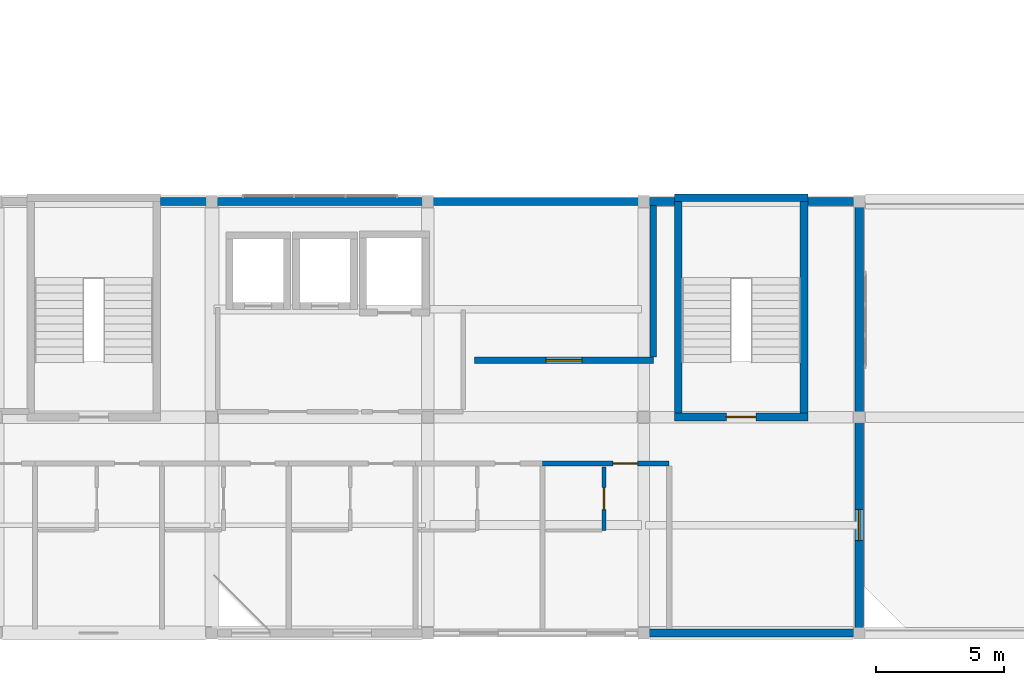
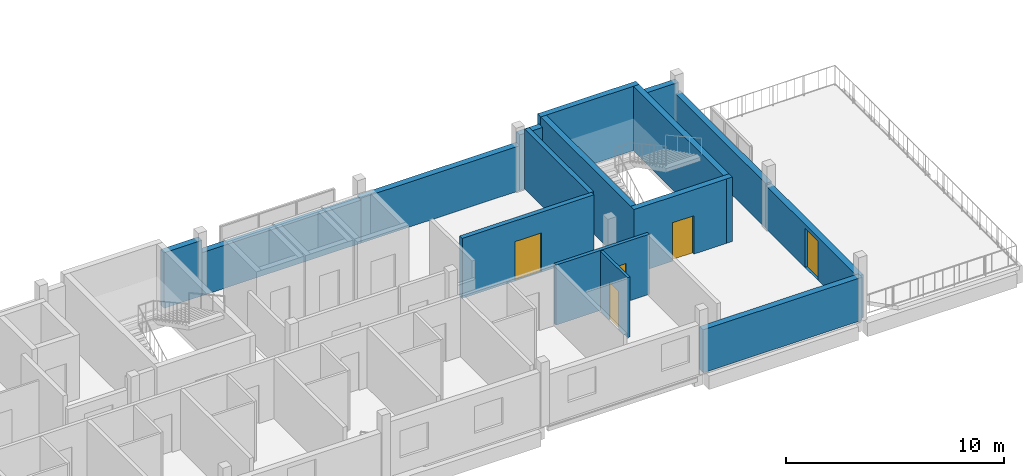
# One storey, part 16 of 19: 16 walls, 5 doors, 5 openings.
"""IFC4 building model written with IfcOpenShell, lengths in metres."""

from ifc_helpers import new_model, si_unit, derived_unit, direction, frame, frame_2d, origin, place, context, subcontext, project, spatial, rectangle, extrude, material, layer, layer_set, type_object, element, fill, save


model = new_model("IFC4")

# Units and contexts
model_context = context("Model", 3, precision=1e-05, world=origin(), true_north=direction((0.0, 1.0)))
body_context = subcontext(model_context, "Body", "Model", "MODEL_VIEW")
ifc_project = project(units=[si_unit("LENGTHUNIT", "METRE"), si_unit("AREAUNIT", "SQUARE_METRE"), si_unit("VOLUMEUNIT", "CUBIC_METRE"), si_unit("PLANEANGLEUNIT", "RADIAN"), si_unit("MASSUNIT", "GRAM", prefix="KILO"), derived_unit("THERMALTRANSMITTANCEUNIT", [(si_unit("POWERUNIT", "WATT"), 1), (si_unit("LENGTHUNIT", "METRE"), -2), (si_unit("THERMODYNAMICTEMPERATUREUNIT", "KELVIN"), -1)])], contexts=[model_context])

# Site, building, storey
site_placement = place(None, origin())
site = spatial("IfcSite", under=ifc_project, at=site_placement, CompositionType="ELEMENT")
building_placement = place(site_placement, origin())
building = spatial("IfcBuilding", under=site, at=building_placement, Name="Barrovel Congress Hotel", CompositionType="ELEMENT")
storey_placement = place(building_placement, frame((0.0, 0.0, 43.5)))
storey = spatial("IfcBuildingStorey", under=building, at=storey_placement, Name="L11", CompositionType="ELEMENT", Elevation=43.5)

# Wall, opening, door
ifc_material_1 = material(Name="Fired Clay Brick Masonry", Category="masonry")
ifc_layer_1 = layer(ifc_material_1, 0.320068359375)
ifc_layer_set_1 = layer_set([ifc_layer_1], Name="Fired Clay Brick Masonry")
wall_type_1 = type_object("IfcWallType", Name="EW-BRK320", PredefinedType="STANDARD", material=ifc_layer_set_1)
wall_1_placement = place(storey_placement, frame((109.199951171875, 4.199951171875, 0.0), z_axis=(0.0, 0.0, 1.0), x_axis=(0.0, 1.0, 0.0)))
wall_1 = element("IfcWall", 1, at=wall_1_placement, inside=storey, type_object=wall_type_1, Name="EW:L11:HS-E", PredefinedType="STANDARD", context=body_context, shape_type="SweptSolid", body=[
    extrude(rectangle(XDim=8.400146484375, YDim=0.320068359375, at=frame_2d((4.2001953125, 0.0))), origin(), (0.0, 0.0, 1.0), 2.409912109375),
])
opening_1_placement = place(wall_1_placement, frame((4.800048828125, 0.0, 0.0), z_axis=(0.0, 0.0, 1.0), x_axis=(-1.0, 0.0, 0.0)))
opening_1 = element("IfcOpeningElement", 2, at=opening_1_placement, cuts=wall_1, Name="Opening ED-04", PredefinedType="OPENING", context=body_context, shape_type="SweptSolid", body=[
    extrude(rectangle(XDim=1.199951171875, YDim=2.199951171875, at=frame_2d((0.60009765625, 1.10009765625))), frame((0.0, 0.169921875, 0.0), z_axis=(0.0, -1.0, 0.0), x_axis=(1.0, 0.0, 0.0)), (0.0, 0.0, 1.0), 0.340087890625),
])
ifc_material_2 = material(Name="Anodised Aluminium Glazed Door", Category="aluminium")
door_type_1 = type_object("IfcDoorType", Name="EDR-ED-04", OperationType="NOTDEFINED", PredefinedType="DOOR", material=ifc_material_2)
door_1_placement = place(opening_1_placement, origin())
door_1 = element("IfcDoor", 3, at=door_1_placement, inside=storey, type_object=door_type_1, Name="L11 East Setback Terrace Door", OperationType="SINGLE_SWING_LEFT", OverallHeight=2.199951171875, OverallWidth=1.199951171875, PredefinedType="DOOR", context=body_context, shape_type="SweptSolid", body=[
    extrude(rectangle(XDim=1.199951171875, YDim=2.199951171875, at=frame_2d((0.60009765625, 1.10009765625))), frame((0.0, 0.02490234375, 0.0), z_axis=(0.0, -1.0, 0.0), x_axis=(1.0, 0.0, 0.0)), (0.0, 0.0, 1.0), 0.050048828125),
])
fill(opening_1, door_1)

# Walls
wall_2_placement = place(storey_placement, frame((109.199951171875, 21.0, 0.0), z_axis=(0.0, 0.0, 1.0), x_axis=(-1.0, 0.0, 0.0)))
element("IfcWall", 4, at=wall_2_placement, inside=storey, type_object=wall_type_1, Name="EW:L11:HS-NE-1", PredefinedType="STANDARD", context=body_context, shape_type="SweptSolid", body=[
    extrude(rectangle(XDim=2.0, YDim=0.320068359375, at=frame_2d((1.0, 0.0))), origin(), (0.0, 0.0, 1.0), 3.113037109375),
])
wall_3_placement = place(storey_placement, frame((100.800048828125, 21.0, 0.0), z_axis=(0.0, 0.0, 1.0), x_axis=(-1.0, 0.0, 0.0)))
element("IfcWall", 5, at=wall_3_placement, inside=storey, type_object=wall_type_1, Name="EW:L11:HS-NE-2", PredefinedType="STANDARD", context=body_context, shape_type="SweptSolid", body=[
    extrude(rectangle(XDim=8.400146484375, YDim=0.320068359375, at=frame_2d((4.2001953125, 0.0))), origin(), (0.0, 0.0, 1.0), 2.510009765625),
])
wall_4_placement = place(storey_placement, frame((100.800048828125, 4.199951171875, 0.0), z_axis=(0.0, 0.0, 1.0), x_axis=(1.0, 0.0, 0.0)))
element("IfcWall", 6, at=wall_4_placement, inside=storey, type_object=wall_type_1, Name="EW:L11:HS-S:P09", PredefinedType="STANDARD", context=body_context, shape_type="SweptSolid", body=[
    extrude(rectangle(XDim=8.39990234375, YDim=0.320068359375, at=frame_2d((4.199951171875, 0.0))), origin(), (0.0, 0.0, 1.0), 2.409912109375),
])
wall_5_placement = place(storey_placement, frame((109.199951171875, 12.60009765625, 0.0), z_axis=(0.0, 0.0, 1.0), x_axis=(0.0, 1.0, 0.0)))
element("IfcWall", 7, at=wall_5_placement, inside=storey, type_object=wall_type_1, Name="EW:L11:HS-E:P02", PredefinedType="STANDARD", context=body_context, shape_type="SweptSolid", body=[
    extrude(rectangle(XDim=8.39990234375, YDim=0.320068359375, at=frame_2d((4.199951171875, 0.0))), origin(), (0.0, 0.0, 1.0), 2.510009765625),
])
wall_6_placement = place(storey_placement, frame((102.0, 21.0, 0.0), z_axis=(0.0, 0.0, 1.0), x_axis=(-1.0, 0.0, 0.0)))
element("IfcWall", 8, at=wall_6_placement, inside=storey, type_object=wall_type_1, Name="EW:L11:HS-NE-2:P01", PredefinedType="STANDARD", context=body_context, shape_type="SweptSolid", body=[
    extrude(rectangle(XDim=1.199951171875, YDim=0.320068359375, at=frame_2d((0.60009765625, 0.0))), origin(), (0.0, 0.0, 1.0), 3.113037109375),
])
wall_7_placement = place(storey_placement, frame((92.39990234375, 21.0, 0.0), z_axis=(0.0, 0.0, 1.0), x_axis=(-1.0, 0.0, 0.0)))
element("IfcWall", 9, at=wall_7_placement, inside=storey, type_object=wall_type_1, Name="EW:L11:HS-NE-2:P03", PredefinedType="STANDARD", context=body_context, shape_type="SweptSolid", body=[
    extrude(rectangle(XDim=8.39990234375, YDim=0.320068359375, at=frame_2d((4.199951171875, 0.0))), origin(), (0.0, 0.0, 1.0), 2.409912109375),
])
wall_8_placement = place(storey_placement, frame((84.0, 21.0, 0.0), z_axis=(0.0, 0.0, 1.0), x_axis=(-1.0, 0.0, 0.0)))
element("IfcWall", 10, at=wall_8_placement, inside=storey, type_object=wall_type_1, Name="EW:L11:HS-NE-2:P04", PredefinedType="STANDARD", context=body_context, shape_type="SweptSolid", body=[
    extrude(rectangle(XDim=2.0, YDim=0.320068359375, at=frame_2d((1.0, 0.0))), origin(), (0.0, 0.0, 1.0), 3.10595703125),
])

# Wall, opening, door
ifc_material_3 = material(Name="Gypsum Acoustic Stud", Category="gypsum")
ifc_layer_2 = layer(ifc_material_3, 0.179931640625)
ifc_layer_set_2 = layer_set([ifc_layer_2], Name="Gypsum Acoustic Stud")
wall_type_2 = type_object("IfcWallType", Name="PW-ACU-180", PredefinedType="PARTITIONING", material=ifc_layer_set_2)
wall_9_placement = place(storey_placement, frame((96.862548828125, 10.800048828125, 0.0), z_axis=(0.0, 0.0, 1.0), x_axis=(1.0, 0.0, 0.0)))
wall_9 = element("IfcWall", 11, at=wall_9_placement, inside=storey, type_object=wall_type_2, Name="PW:L11:U17:COR", PredefinedType="PARTITIONING", context=body_context, shape_type="SweptSolid", body=[
    extrude(rectangle(XDim=4.9375, YDim=0.179931640625, at=frame_2d((2.46875, 0.0))), origin(), (0.0, 0.0, 1.0), 3.35498046875),
])
opening_2_placement = place(wall_9_placement, frame((2.748291015625, 0.0, 0.0)))
opening_2 = element("IfcOpeningElement", 12, at=opening_2_placement, cuts=wall_9, Name="Opening ID-HTL", PredefinedType="OPENING", context=body_context, shape_type="SweptSolid", body=[
    extrude(rectangle(XDim=0.9599609375, YDim=2.14990234375, at=frame_2d((0.47998046875, 1.074951171875))), frame((0.0, 0.10009765625, 0.0), z_axis=(0.0, -1.0, 0.0), x_axis=(1.0, 0.0, 0.0)), (0.0, 0.0, 1.0), 0.199951171875),
])
ifc_material_4 = material(Name="Solid Oak Acoustic Timber Door", Category="wood")
door_type_2 = type_object("IfcDoorType", Name="IDR-ID-HTL", OperationType="NOTDEFINED", PredefinedType="DOOR", material=ifc_material_4)
door_2_placement = place(opening_2_placement, origin())
door_2 = element("IfcDoor", 13, at=door_2_placement, inside=storey, type_object=door_type_2, Name="DR:L11:U17:ENT", OperationType="SINGLE_SWING_RIGHT", OverallHeight=2.14990234375, OverallWidth=0.9599609375, PredefinedType="DOOR", context=body_context, shape_type="SweptSolid", body=[
    extrude(rectangle(XDim=0.9599609375, YDim=2.14990234375, at=frame_2d((0.47998046875, 1.074951171875))), frame((0.0, 0.02490234375, 0.0), z_axis=(0.0, -1.0, 0.0), x_axis=(1.0, 0.0, 0.0)), (0.0, 0.0, 1.0), 0.050048828125),
])
fill(opening_2, door_2)

ifc_layer_3 = layer(ifc_material_1, 0.239990234375)
ifc_layer_set_3 = layer_set([ifc_layer_3], Name="Fired Clay Brick Masonry")
wall_type_3 = type_object("IfcWallType", Name="PW-MAS-240", PredefinedType="PARTITIONING", material=ifc_layer_set_3)
wall_10_placement = place(storey_placement, frame((94.219970703125, 14.820068359375, 0.0), z_axis=(0.0, 0.0, 1.0), x_axis=(1.0, 0.0, 0.0)))
wall_10 = element("IfcWall", 14, at=wall_10_placement, inside=storey, type_object=wall_type_3, Name="RW:SP:L11:AHU-E:S", PredefinedType="PARTITIONING", context=body_context, shape_type="SweptSolid", body=[
    extrude(rectangle(XDim=6.9599609375, YDim=0.239990234375, at=frame_2d((3.47998046875, 0.0))), origin(), (0.0, 0.0, 1.0), 3.35498046875),
])
opening_3_placement = place(wall_10_placement, frame((2.780029296875, 0.0, 0.0)))
opening_3 = element("IfcOpeningElement", 15, at=opening_3_placement, cuts=wall_10, Name="Opening ID-PLT", PredefinedType="OPENING", context=body_context, shape_type="SweptSolid", body=[
    extrude(rectangle(XDim=1.39990234375, YDim=2.199951171875, at=frame_2d((0.699951171875, 1.10009765625))), frame((0.0, 0.1298828125, 0.0), z_axis=(0.0, -1.0, 0.0), x_axis=(1.0, 0.0, 0.0)), (0.0, 0.0, 1.0), 0.260009765625),
])
ifc_material_5 = material(Name="Painted Hollow-Metal Steel Door", Category="steel")
door_type_3 = type_object("IfcDoorType", Name="IDR-ID-PLT", OperationType="NOTDEFINED", PredefinedType="DOOR", material=ifc_material_5)
door_3_placement = place(opening_3_placement, origin())
door_3 = element("IfcDoor", 16, at=door_3_placement, inside=storey, type_object=door_type_3, Name="RD:SP:L11:AHU-E", OperationType="DOUBLE_DOOR_SINGLE_SWING", OverallHeight=2.199951171875, OverallWidth=1.39990234375, PredefinedType="DOOR", context=body_context, shape_type="SweptSolid", body=[
    extrude(rectangle(XDim=1.39990234375, YDim=2.199951171875, at=frame_2d((0.699951171875, 1.10009765625))), frame((0.0, 0.02490234375, 0.0), z_axis=(0.0, -1.0, 0.0), x_axis=(1.0, 0.0, 0.0)), (0.0, 0.0, 1.0), 0.050048828125),
])
fill(opening_3, door_3)

# Wall
wall_11_placement = place(storey_placement, frame((101.179931640625, 14.93994140625, 0.0), z_axis=(0.0, 0.0, 1.0), x_axis=(0.0, 1.0, 0.0)))
element("IfcWall", 17, at=wall_11_placement, inside=storey, type_object=wall_type_3, Name="RW:SP:L11:AHU-E:E", PredefinedType="PARTITIONING", context=body_context, shape_type="SweptSolid", body=[
    extrude(rectangle(XDim=5.900146484375, YDim=0.239990234375, at=frame_2d((2.9501953125, 0.0))), origin(), (0.0, 0.0, 1.0), 3.35498046875),
])

# Wall, opening, door
ifc_material_6 = material(Name="Gypsum Moisture Board", Category="gypsum")
ifc_layer_4 = layer(ifc_material_6, 0.139892578125)
ifc_layer_set_4 = layer_set([ifc_layer_4], Name="Gypsum Moisture Board")
wall_type_4 = type_object("IfcWallType", Name="PW-WET-140", PredefinedType="PARTITIONING", material=ifc_layer_set_4)
wall_12_placement = place(storey_placement, frame((99.262451171875, 8.199951171875, 0.0), z_axis=(0.0, 0.0, 1.0), x_axis=(0.0, 1.0, 0.0)))
wall_12 = element("IfcWall", 18, at=wall_12_placement, inside=storey, type_object=wall_type_4, Name="PW:L11:U17:B1", PredefinedType="PARTITIONING", context=body_context, shape_type="SweptSolid", body=[
    extrude(rectangle(XDim=2.4599609375, YDim=0.139892578125, at=frame_2d((1.22998046875, 0.0))), origin(), (0.0, 0.0, 1.0), 3.35498046875),
])
opening_4_placement = place(wall_12_placement, frame((0.800048828125, 0.0, 0.0)))
opening_4 = element("IfcOpeningElement", 19, at=opening_4_placement, cuts=wall_12, Name="Opening ID-ENS", PredefinedType="OPENING", context=body_context, shape_type="SweptSolid", body=[
    extrude(rectangle(XDim=0.860107421875, YDim=2.10009765625, at=frame_2d((0.43017578125, 1.050048828125))), frame((0.0, 0.080078125, 0.0), z_axis=(0.0, -1.0, 0.0), x_axis=(1.0, 0.0, 0.0)), (0.0, 0.0, 1.0), 0.159912109375),
])
ifc_material_7 = material(Name="Lacquered Timber Moisture Door", Category="wood")
door_type_4 = type_object("IfcDoorType", Name="IDR-ID-ENS", OperationType="NOTDEFINED", PredefinedType="DOOR", material=ifc_material_7)
door_4_placement = place(opening_4_placement, origin())
door_4 = element("IfcDoor", 20, at=door_4_placement, inside=storey, type_object=door_type_4, Name="DR:L11:U17:ENS", OperationType="SINGLE_SWING_LEFT", OverallHeight=2.10009765625, OverallWidth=0.860107421875, PredefinedType="DOOR", context=body_context, shape_type="SweptSolid", body=[
    extrude(rectangle(XDim=0.860107421875, YDim=2.10009765625, at=frame_2d((0.43017578125, 1.050048828125))), frame((0.0, 0.02490234375, 0.0), z_axis=(0.0, -1.0, 0.0), x_axis=(1.0, 0.0, 0.0)), (0.0, 0.0, 1.0), 0.050048828125),
])
fill(opening_4, door_4)

ifc_material_8 = material(Name="Concrete C40", Category="concrete")
ifc_layer_5 = layer(ifc_material_8, 0.300048828125)
ifc_layer_set_5 = layer_set([ifc_layer_5], Name="Concrete C40")
wall_type_5 = type_object("IfcWallType", Name="SW-C40-300", PredefinedType="SHEAR", material=ifc_layer_set_5)
wall_13_placement = place(storey_placement, frame((102.0, 12.610107421875, 0.0), z_axis=(0.0, 0.0, 1.0), x_axis=(1.0, 0.0, 0.0)))
wall_13 = element("IfcWall", 21, at=wall_13_placement, inside=storey, type_object=wall_type_5, Name="SHW:XS-03:L11:S", PredefinedType="SHEAR", context=body_context, shape_type="SweptSolid", body=[
    extrude(rectangle(XDim=5.199951171875, YDim=0.300048828125, at=frame_2d((2.60009765625, 0.0))), origin(), (0.0, 0.0, 1.0), 3.60009765625),
])
opening_5_placement = place(wall_13_placement, frame((2.02490234375, 0.0, 0.0)))
opening_5 = element("IfcOpeningElement", 22, at=opening_5_placement, cuts=wall_13, Name="Opening ID-ST1", PredefinedType="OPENING", context=body_context, shape_type="SweptSolid", body=[
    extrude(rectangle(XDim=1.14990234375, YDim=2.14990234375, at=frame_2d((0.574951171875, 1.074951171875))), frame((0.0, 0.16015625, 0.0), z_axis=(0.0, -1.0, 0.0), x_axis=(1.0, 0.0, 0.0)), (0.0, 0.0, 1.0), 0.320068359375),
])
door_type_5 = type_object("IfcDoorType", Name="IDR-ID-ST1", OperationType="NOTDEFINED", PredefinedType="DOOR", material=ifc_material_5)
door_5_placement = place(opening_5_placement, origin())
door_5 = element("IfcDoor", 23, at=door_5_placement, inside=storey, type_object=door_type_5, Name="Stair Core Fire Door XS-03-L11", OperationType="SINGLE_SWING_LEFT", OverallHeight=2.14990234375, OverallWidth=1.14990234375, PredefinedType="DOOR", context=body_context, shape_type="SweptSolid", body=[
    extrude(rectangle(XDim=1.14990234375, YDim=2.14990234375, at=frame_2d((0.574951171875, 1.074951171875))), frame((0.0, 0.02490234375, 0.0), z_axis=(0.0, -1.0, 0.0), x_axis=(1.0, 0.0, 0.0)), (0.0, 0.0, 1.0), 0.050048828125),
])
fill(opening_5, door_5)

# Walls
wall_14_placement = place(storey_placement, frame((107.050048828125, 12.4599609375, 0.0), z_axis=(0.0, 0.0, 1.0), x_axis=(0.0, 1.0, 0.0)))
element("IfcWall", 24, at=wall_14_placement, inside=storey, type_object=wall_type_5, Name="SHW:XS-03:L11:E", PredefinedType="SHEAR", context=body_context, shape_type="SweptSolid", body=[
    extrude(rectangle(XDim=8.840087890625, YDim=0.300048828125, at=frame_2d((4.419921875, 0.0))), origin(), (0.0, 0.0, 1.0), 3.60009765625),
])
wall_15_placement = place(storey_placement, frame((107.199951171875, 21.14990234375, 0.0), z_axis=(0.0, 0.0, 1.0), x_axis=(-1.0, 0.0, 0.0)))
element("IfcWall", 25, at=wall_15_placement, inside=storey, type_object=wall_type_5, Name="SHW:XS-03:L11:N", PredefinedType="SHEAR", context=body_context, shape_type="SweptSolid", body=[
    extrude(rectangle(XDim=5.199951171875, YDim=0.300048828125, at=frame_2d((2.60009765625, 0.0))), origin(), (0.0, 0.0, 1.0), 3.60009765625),
])
wall_16_placement = place(storey_placement, frame((102.14990234375, 21.300048828125, 0.0), z_axis=(0.0, 0.0, 1.0), x_axis=(0.0, -1.0, 0.0)))
element("IfcWall", 26, at=wall_16_placement, inside=storey, type_object=wall_type_5, Name="SHW:XS-03:L11:W", PredefinedType="SHEAR", context=body_context, shape_type="SweptSolid", body=[
    extrude(rectangle(XDim=8.840087890625, YDim=0.300048828125, at=frame_2d((4.419921875, 0.0))), origin(), (0.0, 0.0, 1.0), 3.60009765625),
])

save(model, "model.ifc")
